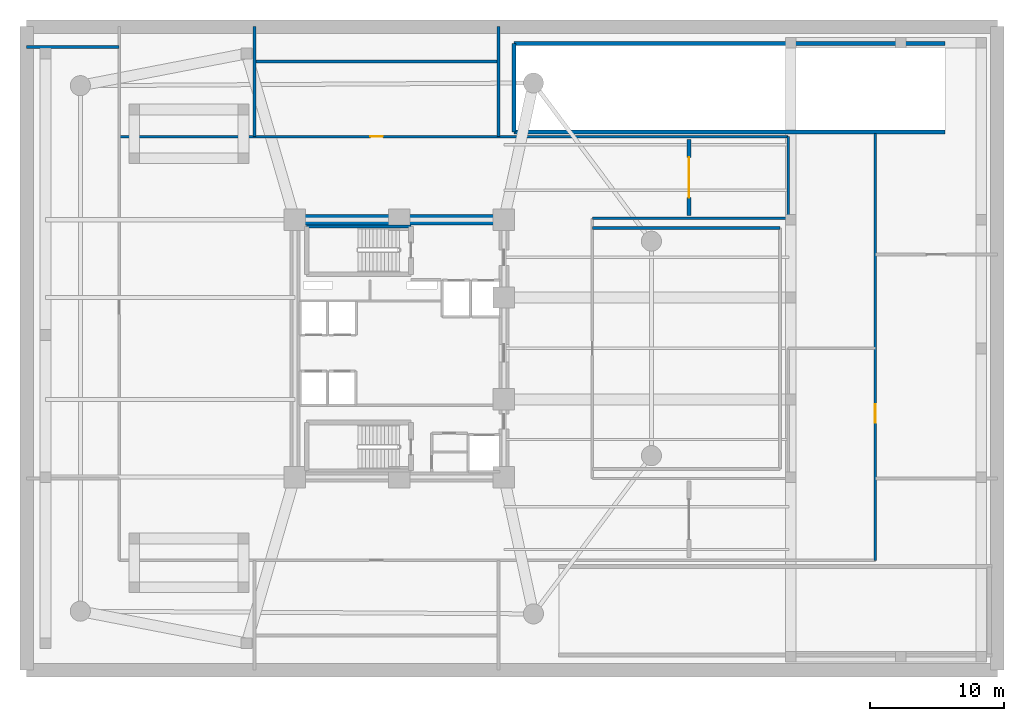
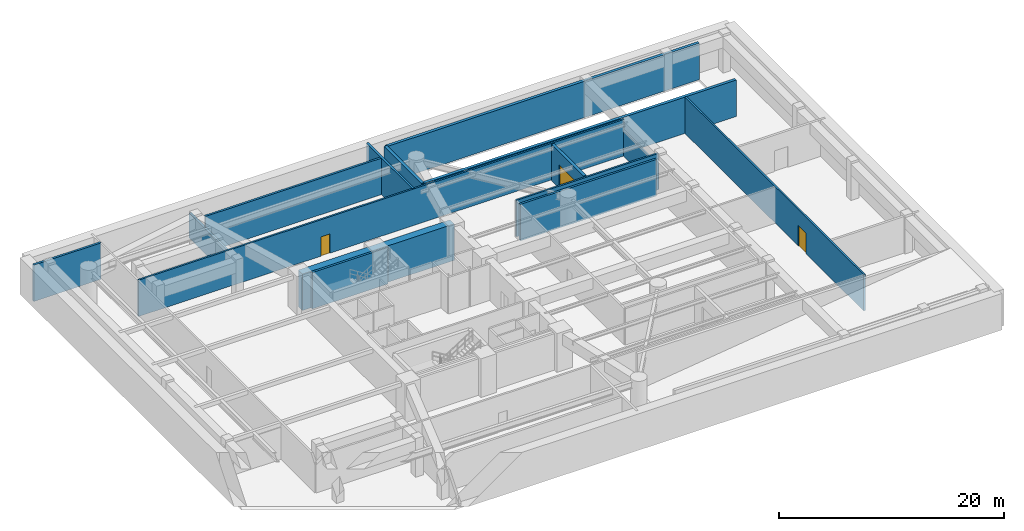
# One storey, part 5 of 7: 15 walls, 3 doors, 3 openings.
"""IFC4 building model written with IfcOpenShell, lengths in metres."""

from ifc_helpers import new_model, si_unit, direction, frame, frame_2d, origin, place, context, subcontext, project, spatial, rectangle, extrude, material, layer, layer_set, type_object, element, fill, save


model = new_model("IFC4")

# Units and contexts
model_context = context("Model", 3, precision=1e-05, world=origin(), true_north=direction((0.0, 1.0)))
body_context = subcontext(model_context, "Body", "Model", "MODEL_VIEW")
ifc_project = project(units=[si_unit("LENGTHUNIT", "METRE"), si_unit("AREAUNIT", "SQUARE_METRE"), si_unit("VOLUMEUNIT", "CUBIC_METRE"), si_unit("PLANEANGLEUNIT", "RADIAN"), si_unit("MASSUNIT", "GRAM", prefix="KILO")], contexts=[model_context])

# Site, building, storey
site_placement = place(None, origin())
site = spatial("IfcSite", under=ifc_project, at=site_placement, CompositionType="ELEMENT")
building_placement = place(site_placement, origin())
building = spatial("IfcBuilding", under=site, at=building_placement, Name="An Khanh Terracotta Commons", CompositionType="ELEMENT")
storey_placement = place(building_placement, frame((0.0, 0.0, -4.199951171875)))
storey = spatial("IfcBuildingStorey", under=building, at=storey_placement, Name="B01", CompositionType="ELEMENT", Elevation=-4.199951171875)

# Walls
ifc_material_1 = material(Name="Concrete C70/85", Category="concrete")
ifc_layer_1 = layer(ifc_material_1, 0.75, Name="Concrete C70/85")
ifc_layer_set_1 = layer_set([ifc_layer_1], Name="Concrete C70/85")
wall_type_1 = type_object("IfcWallType", Name="WALL-CORE-750", PredefinedType="SHEAR", material=ifc_layer_set_1)
wall_1_placement = place(storey_placement, frame((21.60009765625, 33.60009765625, 0.0), z_axis=(0.0, 0.0, 1.0), x_axis=(1.0, 0.0, 0.0)))
element("IfcWall", 1, at=wall_1_placement, inside=storey, type_object=wall_type_1, Name="B01 Core Wall CWALL-B01-N", PredefinedType="SHEAR", context=body_context, shape_type="SweptSolid", body=[
    extrude(rectangle(XDim=15.599853515625, YDim=0.75, at=frame_2d((7.7998046875, 0.0))), origin(), (0.0, 0.0, 1.0), 3.9599609375),
])
ifc_material_2 = material(Name="Fire-Rated Gypsum Board on Steel Stud", Category="steel")
ifc_layer_2 = layer(ifc_material_2, 0.179931640625, Name="Fire-Rated Gypsum Board on Steel Stud")
ifc_layer_set_2 = layer_set([ifc_layer_2], Name="Fire-Rated Gypsum Board on Steel Stud")
wall_type_2 = type_object("IfcWallType", Name="WALL-CORR-180", PredefinedType="PARTITIONING", material=ifc_layer_set_2)
wall_2_placement = place(storey_placement, frame((43.800048828125, 33.699951171875, 0.0), z_axis=(0.0, 0.0, 1.0), x_axis=(1.0, 0.0, 0.0)))
element("IfcWall", 2, at=wall_2_placement, inside=storey, type_object=wall_type_2, Name="B01 Interior Partition IW-B01-E010", PredefinedType="PARTITIONING", context=body_context, shape_type="SweptSolid", body=[
    extrude(rectangle(XDim=14.599853515625, YDim=0.179931640625, at=frame_2d((7.2998046875, 0.0))), origin(), (0.0, 0.0, 1.0), 3.9599609375),
])

# Wall, opening, door
wall_3_placement = place(storey_placement, frame((8.5, 39.800048828125, 0.0), z_axis=(0.0, 0.0, 1.0), x_axis=(1.0, 0.0, 0.0)))
wall_3 = element("IfcWall", 3, at=wall_3_placement, inside=storey, type_object=wall_type_2, Name="B01 Interior Partition IW-B01-E011", PredefinedType="PARTITIONING", context=body_context, shape_type="SweptSolid", body=[
    extrude(rectangle(XDim=49.89990234375, YDim=0.179931640625, at=frame_2d((24.949951171875, 0.0))), origin(), (0.0, 0.0, 1.0), 3.9599609375),
])
opening_1_placement = place(wall_3_placement, frame((18.739990234375, 0.0, 0.0)))
opening_1 = element("IfcOpeningElement", 4, at=opening_1_placement, cuts=wall_3, Name="Opening D-RM", PredefinedType="OPENING", context=body_context, shape_type="SweptSolid", body=[
    extrude(rectangle(XDim=0.919921875, YDim=2.10009765625, at=frame_2d((0.4599609375, 1.050048828125))), frame((0.0, 0.099853515625, 0.0), z_axis=(0.0, -1.0, 0.0), x_axis=(1.0, 0.0, 0.0)), (0.0, 0.0, 1.0), 0.199951171875),
])
ifc_material_3 = material(Name="Engineered Hardwood Timber Leaf", Category="wood")
door_type_1 = type_object("IfcDoorType", Name="DOOR-INT-920", OperationType="NOTDEFINED", PredefinedType="DOOR", material=ifc_material_3)
door_1_placement = place(opening_1_placement, origin())
door_1 = element("IfcDoor", 5, at=door_1_placement, inside=storey, type_object=door_type_1, Name="B01 PKN North Perpendicular Car Parking Zone Door", OperationType="SINGLE_SWING_LEFT", OverallHeight=2.10009765625, OverallWidth=0.919921875, PredefinedType="DOOR", context=body_context, shape_type="SweptSolid", body=[
    extrude(rectangle(XDim=0.919921875, YDim=2.10009765625, at=frame_2d((0.4599609375, 1.050048828125))), frame((0.0, 0.02490234375, 0.0), z_axis=(0.0, -1.0, 0.0), x_axis=(1.0, 0.0, 0.0)), (0.0, 0.0, 1.0), 0.050048828125),
])
fill(opening_1, door_1)

# Wall
wall_4_placement = place(storey_placement, frame((58.39990234375, 33.699951171875, 0.0), z_axis=(0.0, 0.0, 1.0), x_axis=(0.0, 1.0, 0.0)))
element("IfcWall", 6, at=wall_4_placement, inside=storey, type_object=wall_type_2, Name="B01 Interior Partition IW-B01-E022", PredefinedType="PARTITIONING", context=body_context, shape_type="SweptSolid", body=[
    extrude(rectangle(XDim=6.10009765625, YDim=0.179931640625, at=frame_2d((3.050048828125, 0.0))), origin(), (0.0, 0.0, 1.0), 2.741943359375),
])

# Wall, opening, door
wall_5_placement = place(storey_placement, frame((64.89990234375, 8.199951171875, 0.0), z_axis=(0.0, 0.0, 1.0), x_axis=(0.0, 1.0, 0.0)))
wall_5 = element("IfcWall", 7, at=wall_5_placement, inside=storey, type_object=wall_type_2, Name="B01 Interior Partition IW-B01-E023", PredefinedType="PARTITIONING", context=body_context, shape_type="SweptSolid", body=[
    extrude(rectangle(XDim=31.85009765625, YDim=0.179931640625, at=frame_2d((15.925048828125, 0.0))), origin(), (0.0, 0.0, 1.0), 3.9599609375),
])
opening_2_placement = place(wall_5_placement, frame((10.25, 0.0, 0.0)))
opening_2 = element("IfcOpeningElement", 8, at=opening_2_placement, cuts=wall_5, Name="Opening D-PL", PredefinedType="OPENING", context=body_context, shape_type="SweptSolid", body=[
    extrude(rectangle(XDim=1.39990234375, YDim=2.25, at=frame_2d((0.699951171875, 1.125))), frame((0.0, 0.099853515625, 0.0), z_axis=(0.0, -1.0, 0.0), x_axis=(1.0, 0.0, 0.0)), (0.0, 0.0, 1.0), 0.199951171875),
])
ifc_material_4 = material(Name="Heavy-Duty Acoustic Steel Double Plant Door", Category="steel")
door_type_2 = type_object("IfcDoorType", Name="DOOR-PLANT-1400", OperationType="NOTDEFINED", PredefinedType="DOOR", material=ifc_material_4)
door_2_placement = place(opening_2_placement, origin())
door_2 = element("IfcDoor", 9, at=door_2_placement, inside=storey, type_object=door_type_2, Name="B01 SUB Dual 22kV Electrical Substation and Switchroom Door", OperationType="DOUBLE_DOOR_SINGLE_SWING", OverallHeight=2.25, OverallWidth=1.39990234375, PredefinedType="DOOR", context=body_context, shape_type="SweptSolid", body=[
    extrude(rectangle(XDim=1.39990234375, YDim=2.25, at=frame_2d((0.699951171875, 1.125))), frame((0.0, 0.02490234375, 0.0), z_axis=(0.0, -1.0, 0.0), x_axis=(1.0, 0.0, 0.0)), (0.0, 0.0, 1.0), 0.050048828125),
])
fill(opening_2, door_2)

# Walls
ifc_material_5 = material(Name="Acoustic Double-Stud Gypsum and Mineral Wool")
ifc_layer_3 = layer(ifc_material_5, 0.219970703125, Name="Acoustic Double-Stud Gypsum and Mineral Wool")
ifc_layer_set_3 = layer_set([ifc_layer_3], Name="Acoustic Double-Stud Gypsum and Mineral Wool")
wall_type_3 = type_object("IfcWallType", Name="WALL-PARTY-220", PredefinedType="PARTITIONING", material=ifc_layer_set_3)
wall_6_placement = place(storey_placement, frame((22.47998046875, 33.110107421875, 0.0), z_axis=(0.0, 0.0, 1.0), x_axis=(1.0, 0.0, 0.0)))
element("IfcWall", 10, at=wall_6_placement, inside=storey, type_object=wall_type_3, Name="B01 Core Wall STW-B01-N-N", PredefinedType="PARTITIONING", context=body_context, shape_type="SweptSolid", body=[
    extrude(rectangle(XDim=7.7900390625, YDim=0.219970703125, at=frame_2d((3.89501953125, 0.0))), origin(), (0.0, 0.0, 1.0), 3.9599609375),
])
wall_7_placement = place(storey_placement, frame((43.800048828125, 33.0, 0.0), z_axis=(0.0, 0.0, 1.0), x_axis=(1.0, 0.0, 0.0)))
element("IfcWall", 11, at=wall_7_placement, inside=storey, type_object=wall_type_3, Name="B01 Interior Partition IW-B01-E009", PredefinedType="PARTITIONING", context=body_context, shape_type="SweptSolid", body=[
    extrude(rectangle(XDim=14.0, YDim=0.219970703125, at=frame_2d((7.0, 0.0))), origin(), (0.0, 0.0, 1.0), 3.9599609375),
])
wall_8_placement = place(storey_placement, frame((18.60009765625, 45.39990234375, 0.0), z_axis=(0.0, 0.0, 1.0), x_axis=(1.0, 0.0, 0.0)))
element("IfcWall", 12, at=wall_8_placement, inside=storey, type_object=wall_type_3, Name="B01 Interior Partition IW-B01-E012", PredefinedType="PARTITIONING", context=body_context, shape_type="SweptSolid", body=[
    extrude(rectangle(XDim=18.199951171875, YDim=0.219970703125, at=frame_2d((9.10009765625, 0.0))), origin(), (0.0, 0.0, 1.0), 3.9599609375),
])
wall_9_placement = place(storey_placement, frame((1.60009765625, 46.5, 0.0), z_axis=(0.0, 0.0, 1.0), x_axis=(1.0, 0.0, 0.0)))
element("IfcWall", 13, at=wall_9_placement, inside=storey, type_object=wall_type_3, Name="B01 Interior Partition IW-B01-E013", PredefinedType="PARTITIONING", context=body_context, shape_type="SweptSolid", body=[
    extrude(rectangle(XDim=6.89990234375, YDim=0.219970703125, at=frame_2d((3.449951171875, 0.0))), origin(), (0.0, 0.0, 1.0), 3.9599609375),
])
wall_10_placement = place(storey_placement, frame((18.60009765625, 39.800048828125, 0.0), z_axis=(0.0, 0.0, 1.0), x_axis=(0.0, 1.0, 0.0)))
element("IfcWall", 14, at=wall_10_placement, inside=storey, type_object=wall_type_3, Name="B01 Interior Partition IW-B01-E016", PredefinedType="PARTITIONING", context=body_context, shape_type="SweptSolid", body=[
    extrude(rectangle(XDim=8.199951171875, YDim=0.219970703125, at=frame_2d((4.10009765625, 0.0))), origin(), (0.0, 0.0, 1.0), 2.741943359375),
])
wall_11_placement = place(storey_placement, frame((36.800048828125, 39.800048828125, 0.0), z_axis=(0.0, 0.0, 1.0), x_axis=(0.0, 1.0, 0.0)))
element("IfcWall", 15, at=wall_11_placement, inside=storey, type_object=wall_type_3, Name="B01 Interior Partition IW-B01-E018", PredefinedType="PARTITIONING", context=body_context, shape_type="SweptSolid", body=[
    extrude(rectangle(XDim=8.199951171875, YDim=0.219970703125, at=frame_2d((4.10009765625, 0.0))), origin(), (0.0, 0.0, 1.0), 3.9599609375),
])
ifc_material_6 = material(Name="Concrete C40/50", Category="concrete")
ifc_layer_4 = layer(ifc_material_6, 0.300048828125, Name="Concrete C40/50")
ifc_layer_set_4 = layer_set([ifc_layer_4], Name="Concrete C40/50")
wall_type_4 = type_object("IfcWallType", Name="WALL-RAMP-300", PredefinedType="SOLIDWALL", material=ifc_layer_set_4)
for number, where, z_axis, x_axis, name in (
    (16, (37.949951171875, 40.14990234375, 0.0), (0.0, 0.0, 1.0), (1.0, 0.0, 0.0), "B01 Vehicle Ramp Enclosure Wall 1"),
    (17, (37.949951171875, 46.75, 0.0), (0.0, 0.0, 1.0), (1.0, 0.0, 0.0), "B01 Vehicle Ramp Enclosure Wall 2"),
):
    element("IfcWall", number, at=place(storey_placement, frame(where, z_axis=z_axis, x_axis=x_axis)), inside=storey, type_object=wall_type_4, Name=name, PredefinedType="SOLIDWALL", context=body_context, shape_type="SweptSolid", body=[
        extrude(rectangle(XDim=32.150146484375, YDim=0.300048828125, at=frame_2d((16.0751953125, 0.0))), origin(), (0.0, 0.0, 1.0), 3.9599609375),
    ])
wall_12_placement = place(storey_placement, frame((37.949951171875, 40.14990234375, 0.0), z_axis=(0.0, 0.0, 1.0), x_axis=(0.0, 1.0, 0.0)))
element("IfcWall", 18, at=wall_12_placement, inside=storey, type_object=wall_type_4, Name="B01 Vehicle Ramp Enclosure Wall 3", PredefinedType="SOLIDWALL", context=body_context, shape_type="SweptSolid", body=[
    extrude(rectangle(XDim=6.60009765625, YDim=0.300048828125, at=frame_2d((3.300048828125, 0.0))), origin(), (0.0, 0.0, 1.0), 3.9599609375),
])

# Wall, opening, door
wall_13_placement = place(storey_placement, frame((51.0, 33.89990234375, 0.0), z_axis=(0.0, 0.0, 1.0), x_axis=(0.0, 1.0, 0.0)))
wall_13 = element("IfcWall", 19, at=wall_13_placement, inside=storey, type_object=wall_type_4, Name="B01 Car Park Fire Compartment Portal Wall 2", PredefinedType="SOLIDWALL", context=body_context, shape_type="SweptSolid", body=[
    extrude(rectangle(XDim=5.7001953125, YDim=0.300048828125, at=frame_2d((2.85009765625, 0.0))), origin(), (0.0, 0.0, 1.0), 3.9599609375),
])
opening_3_placement = place(wall_13_placement, frame((1.35009765625, 0.0, 0.0)))
opening_3 = element("IfcOpeningElement", 20, at=opening_3_placement, cuts=wall_13, Name="Opening VG-B01-2", PredefinedType="OPENING", context=body_context, shape_type="SweptSolid", body=[
    extrude(rectangle(XDim=3.0, YDim=2.550048828125, at=frame_2d((1.5, 1.27490234375))), frame((0.0, 0.159912109375, 0.0), z_axis=(0.0, -1.0, 0.0), x_axis=(1.0, 0.0, 0.0)), (0.0, 0.0, 1.0), 0.320068359375),
])
ifc_material_7 = material(Name="Galvanised Fire-Rated Steel Roller Shutter", Category="steel")
door_type_3 = type_object("IfcDoorType", Name="GATE-PLANT-3000", OperationType="NOTDEFINED", PredefinedType="GATE", material=ifc_material_7)
door_3_placement = place(opening_3_placement, origin())
door_3 = element("IfcDoor", 21, at=door_3_placement, inside=storey, type_object=door_type_3, Name="B01 Car Park Fire Compartment Roller Shutter 2", OperationType="ROLLINGUP", OverallHeight=2.550048828125, OverallWidth=3.0, PredefinedType="GATE", context=body_context, shape_type="SweptSolid", body=[
    extrude(rectangle(XDim=3.0, YDim=2.550048828125, at=frame_2d((1.5, 1.27490234375))), frame((0.0, 0.02490234375, 0.0), z_axis=(0.0, -1.0, 0.0), x_axis=(1.0, 0.0, 0.0)), (0.0, 0.0, 1.0), 0.050048828125),
])
fill(opening_3, door_3)

save(model, "model.ifc")
